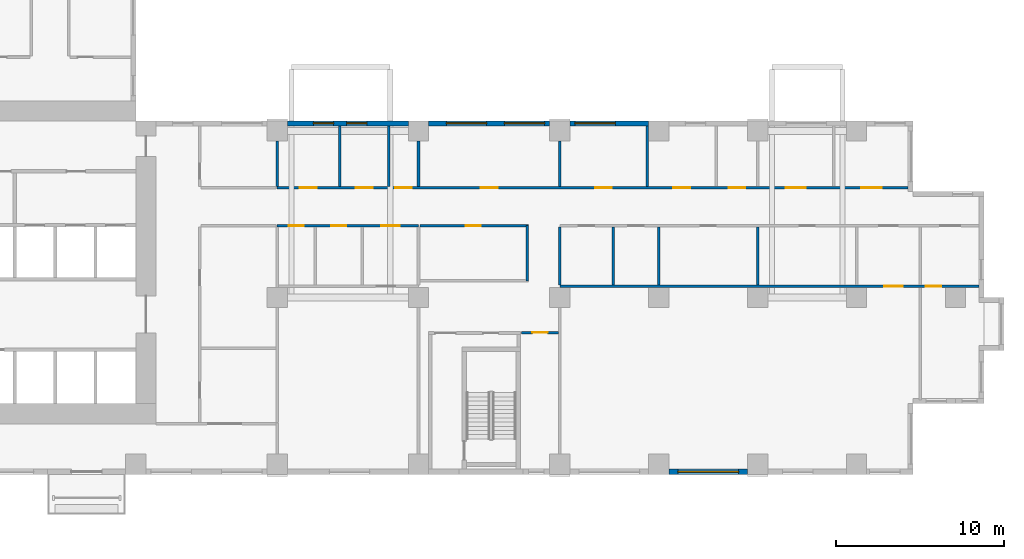
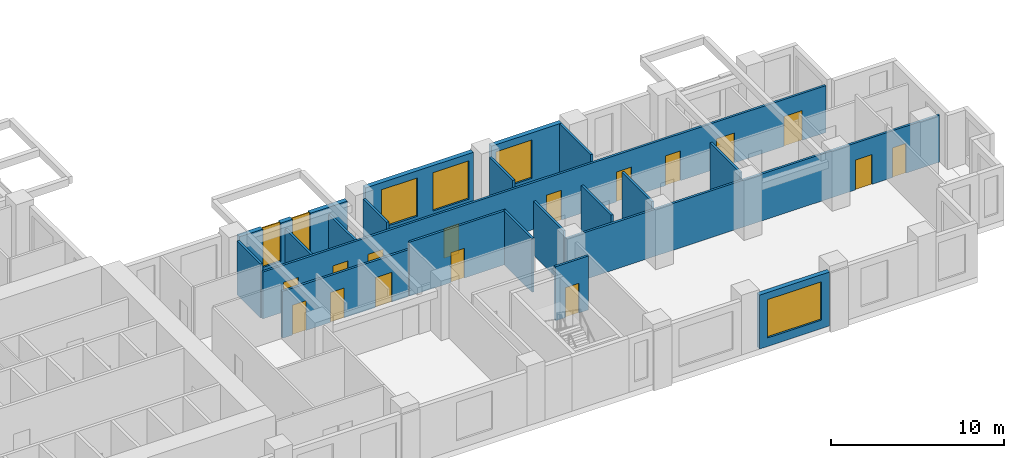
# One storey, part 5 of 14: 20 walls, 16 doors, 6 windows, 22 openings.
"""IFC4 building model written with IfcOpenShell, lengths in metres."""

from ifc_helpers import new_model, si_unit, direction, frame, frame_2d, origin, place, context, subcontext, project, spatial, rectangle, extrude, source, transform, mapped, material, layer, layer_set, type_object, element, fill, save


model = new_model("IFC4")

# Units and contexts
model_context = context("Model", 3, precision=1e-05, world=origin(), true_north=direction((0.0, 1.0)))
body_context = subcontext(model_context, "Body", "Model", "MODEL_VIEW")
ifc_project = project(units=[si_unit("LENGTHUNIT", "METRE"), si_unit("AREAUNIT", "SQUARE_METRE"), si_unit("VOLUMEUNIT", "CUBIC_METRE"), si_unit("PLANEANGLEUNIT", "RADIAN"), si_unit("MASSUNIT", "GRAM", prefix="KILO")], contexts=[model_context])

# Site, building, storey
site_placement = place(None, origin())
site = spatial("IfcSite", under=ifc_project, at=site_placement, CompositionType="ELEMENT")
building_placement = place(site_placement, origin())
building = spatial("IfcBuilding", under=site, at=building_placement, Name="Aurelian Terraces", CompositionType="ELEMENT")
storey_placement = place(building_placement, frame((0.0, 0.0, 86.7)))
storey = spatial("IfcBuildingStorey", under=building, at=storey_placement, Name="L18", CompositionType="ELEMENT", Elevation=86.7)

# Wall, openings, windows
ifc_material_1 = material(Name="Terracotta rainscreen cladding", Category="masonry")
ifc_layer_1 = layer(ifc_material_1, 0.3)
ifc_layer_set_1 = layer_set([ifc_layer_1], Name="EW-300")
wall_type_1 = type_object("IfcWallType", Name="EW-300", PredefinedType="STANDARD", material=ifc_layer_set_1)
shared_shape_1 = source(origin(), body_context, "Body", "SweptSolid", [
    extrude(rectangle(XDim=7.2, YDim=0.3, at=frame_2d((3.6, 0.0))), origin(), (0.0, 0.0, 1.0), 3.8),
])
wall_1_placement = place(storey_placement, frame((45.6, 20.85, 0.0), z_axis=(0.0, 0.0, 1.0), x_axis=(-1.0, 0.0, 0.0)))
wall_1 = element("IfcWall", 1, at=wall_1_placement, inside=storey, type_object=wall_type_1, Name="External wall L18 F07.21", PredefinedType="STANDARD", context=body_context, shape_type="MappedRepresentation", body=[
    mapped(shared_shape_1, transform((0.0, 0.0, 0.0), scale=1.0)),
])
shared_shape_2 = source(origin(), body_context, "Body", "SweptSolid", [
    extrude(rectangle(XDim=2.4, YDim=2.7, at=frame_2d((1.2, 1.35))), frame((0.0, 0.16, 0.0), z_axis=(0.0, -1.0, 0.0), x_axis=(1.0, 0.0, 0.0)), (0.0, 0.0, 1.0), 0.32),
])
opening_1_placement = place(wall_1_placement, frame((0.3, 0.0, 0.6)))
opening_1 = element("IfcOpeningElement", 2, at=opening_1_placement, cuts=wall_1, Name="Opening W2427", PredefinedType="OPENING", context=body_context, shape_type="MappedRepresentation", body=[
    mapped(shared_shape_2, transform((0.0, 0.0, 0.0), scale=1.0)),
])
opening_2_placement = place(wall_1_placement, frame((3.75, 0.0, 0.6)))
opening_2 = element("IfcOpeningElement", 3, at=opening_2_placement, cuts=wall_1, Name="Opening W2427", PredefinedType="OPENING", context=body_context, shape_type="MappedRepresentation", body=[
    mapped(shared_shape_2, transform((0.0, 0.0, 0.0), scale=1.0)),
])
ifc_material_2 = material(Name="Clear glazing", Category="glass")
window_type_1 = type_object("IfcWindowType", Name="W-2400x2700", PartitioningType="SINGLE_PANEL", PredefinedType="WINDOW", material=ifc_material_2)
shared_shape_3 = source(origin(), body_context, "Body", "SweptSolid", [
    extrude(rectangle(XDim=2.4, YDim=2.7, at=frame_2d((1.2, 1.35))), frame((0.0, 0.03, 0.0), z_axis=(0.0, -1.0, 0.0), x_axis=(1.0, 0.0, 0.0)), (0.0, 0.0, 1.0), 0.06),
])
window_1_placement = place(opening_1_placement, origin())
window_1 = element("IfcWindow", 4, at=window_1_placement, inside=storey, type_object=window_type_1, Name="Window L18 L18-F07-21-0", OverallHeight=2.7, OverallWidth=2.4, PartitioningType="SINGLE_PANEL", PredefinedType="WINDOW", context=body_context, shape_type="MappedRepresentation", body=[
    mapped(shared_shape_3, transform((0.0, 0.0, 0.0), scale=1.0)),
])
fill(opening_1, window_1)
window_2_placement = place(opening_2_placement, origin())
window_2 = element("IfcWindow", 5, at=window_2_placement, inside=storey, type_object=window_type_1, Name="Window L18 L18-F07-21-G0-33", OverallHeight=2.7, OverallWidth=2.4, PartitioningType="SINGLE_PANEL", PredefinedType="WINDOW", context=body_context, shape_type="MappedRepresentation", body=[
    mapped(shared_shape_3, transform((0.0, 0.0, 0.0), scale=1.0)),
])
fill(opening_2, window_2)

# Wall, opening, window
shared_shape_4 = source(origin(), body_context, "Body", "SweptSolid", [
    extrude(rectangle(XDim=4.68, YDim=0.3, at=frame_2d((2.34, 0.0))), origin(), (0.0, 0.0, 1.0), 3.8),
])
wall_2_placement = place(storey_placement, frame((52.68, 0.15, 0.0), z_axis=(0.0, 0.0, 1.0), x_axis=(1.0, 0.0, 0.0)))
wall_2 = element("IfcWall", 6, at=wall_2_placement, inside=storey, type_object=wall_type_1, Name="External wall L18 F01.9", PredefinedType="STANDARD", context=body_context, shape_type="MappedRepresentation", body=[
    mapped(shared_shape_4, transform((0.0, 0.0, 0.0), scale=1.0)),
])
shared_shape_5 = source(origin(), body_context, "Body", "SweptSolid", [
    extrude(rectangle(XDim=3.6, YDim=2.7, at=frame_2d((1.8, 1.35))), frame((0.0, 0.16, 0.0), z_axis=(0.0, -1.0, 0.0), x_axis=(1.0, 0.0, 0.0)), (0.0, 0.0, 1.0), 0.32),
])
opening_3_placement = place(wall_2_placement, frame((0.54, 0.0, 0.6)))
opening_3 = element("IfcOpeningElement", 7, at=opening_3_placement, cuts=wall_2, Name="Opening W3627", PredefinedType="OPENING", context=body_context, shape_type="MappedRepresentation", body=[
    mapped(shared_shape_5, transform((0.0, 0.0, 0.0), scale=1.0)),
])
window_type_2 = type_object("IfcWindowType", Name="W-3600x2700", PartitioningType="SINGLE_PANEL", PredefinedType="WINDOW", material=ifc_material_2)
shared_shape_6 = source(origin(), body_context, "Body", "SweptSolid", [
    extrude(rectangle(XDim=3.6, YDim=2.7, at=frame_2d((1.8, 1.35))), frame((0.0, 0.03, 0.0), z_axis=(0.0, -1.0, 0.0), x_axis=(1.0, 0.0, 0.0)), (0.0, 0.0, 1.0), 0.06),
])
window_3_placement = place(opening_3_placement, origin())
window_3 = element("IfcWindow", 8, at=window_3_placement, inside=storey, type_object=window_type_2, Name="Window L18 L18-F01-09-0", OverallHeight=2.7, OverallWidth=3.6, PartitioningType="SINGLE_PANEL", PredefinedType="WINDOW", context=body_context, shape_type="MappedRepresentation", body=[
    mapped(shared_shape_6, transform((0.0, 0.0, 0.0), scale=1.0)),
])
fill(opening_3, window_3)

wall_3_placement = place(storey_placement, frame((51.48, 20.85, 0.0), z_axis=(0.0, 0.0, 1.0), x_axis=(-1.0, 0.0, 0.0)))
wall_3 = element("IfcWall", 9, at=wall_3_placement, inside=storey, type_object=wall_type_1, Name="External wall L18 F07.20", PredefinedType="STANDARD", context=body_context, shape_type="MappedRepresentation", body=[
    mapped(shared_shape_4, transform((0.0, 0.0, 0.0), scale=1.0)),
])
opening_4_placement = place(wall_3_placement, frame((1.98, 0.0, 0.6)))
opening_4 = element("IfcOpeningElement", 10, at=opening_4_placement, cuts=wall_3, Name="Opening W2427", PredefinedType="OPENING", context=body_context, shape_type="MappedRepresentation", body=[
    mapped(shared_shape_2, transform((0.0, 0.0, 0.0), scale=1.0)),
])
window_4_placement = place(opening_4_placement, origin())
window_4 = element("IfcWindow", 11, at=window_4_placement, inside=storey, type_object=window_type_1, Name="Window L18 L18-F07-20-4", OverallHeight=2.7, OverallWidth=2.4, PartitioningType="SINGLE_PANEL", PredefinedType="WINDOW", context=body_context, shape_type="MappedRepresentation", body=[
    mapped(shared_shape_3, transform((0.0, 0.0, 0.0), scale=1.0)),
])
fill(opening_4, window_4)

# Wall, openings, windows
shared_shape_7 = source(origin(), body_context, "Body", "SweptSolid", [
    extrude(rectangle(XDim=7.2, YDim=0.3, at=frame_2d((3.6, 0.0))), origin(), (0.0, 0.0, 1.0), 3.3),
])
wall_4_placement = place(storey_placement, frame((37.2, 20.85, 0.0), z_axis=(0.0, 0.0, 1.0), x_axis=(-1.0, 0.0, 0.0)))
wall_4 = element("IfcWall", 12, at=wall_4_placement, inside=storey, type_object=wall_type_1, Name="External wall L18 F07.21", PredefinedType="STANDARD", context=body_context, shape_type="MappedRepresentation", body=[
    mapped(shared_shape_7, transform((0.0, 0.0, 0.0), scale=1.0)),
])
shared_shape_8 = source(origin(), body_context, "Body", "SweptSolid", [
    extrude(rectangle(XDim=1.2, YDim=2.7, at=frame_2d((0.6, 1.35))), frame((0.0, 0.16, 0.0), z_axis=(0.0, -1.0, 0.0), x_axis=(1.0, 0.0, 0.0)), (0.0, 0.0, 1.0), 0.32),
])
opening_5_placement = place(wall_4_placement, frame((2.466, 0.0, 0.6)))
opening_5 = element("IfcOpeningElement", 13, at=opening_5_placement, cuts=wall_4, Name="Opening W1227", PredefinedType="OPENING", context=body_context, shape_type="MappedRepresentation", body=[
    mapped(shared_shape_8, transform((0.0, 0.0, 0.0), scale=1.0)),
])
opening_6_placement = place(wall_4_placement, frame((4.441, 0.0, 0.6)))
opening_6 = element("IfcOpeningElement", 14, at=opening_6_placement, cuts=wall_4, Name="Opening W1227", PredefinedType="OPENING", context=body_context, shape_type="MappedRepresentation", body=[
    mapped(shared_shape_8, transform((0.0, 0.0, 0.0), scale=1.0)),
])
window_type_3 = type_object("IfcWindowType", Name="W-1200x2700", PartitioningType="SINGLE_PANEL", PredefinedType="WINDOW", material=ifc_material_2)
shared_shape_9 = source(origin(), body_context, "Body", "SweptSolid", [
    extrude(rectangle(XDim=1.2, YDim=2.7, at=frame_2d((0.6, 1.35))), frame((0.0, 0.03, 0.0), z_axis=(0.0, -1.0, 0.0), x_axis=(1.0, 0.0, 0.0)), (0.0, 0.0, 1.0), 0.06),
])
window_5_placement = place(opening_5_placement, origin())
window_5 = element("IfcWindow", 15, at=window_5_placement, inside=storey, type_object=window_type_3, Name="Window L18 L18-F07-21-2.1", OverallHeight=2.7, OverallWidth=1.2, PartitioningType="SINGLE_PANEL", PredefinedType="WINDOW", context=body_context, shape_type="MappedRepresentation", body=[
    mapped(shared_shape_9, transform((0.0, 0.0, 0.0), scale=1.0)),
])
fill(opening_5, window_5)
window_6_placement = place(opening_6_placement, origin())
window_6 = element("IfcWindow", 16, at=window_6_placement, inside=storey, type_object=window_type_3, Name="Window L18 L18-F07-21-2.2", OverallHeight=2.7, OverallWidth=1.2, PartitioningType="SINGLE_PANEL", PredefinedType="WINDOW", context=body_context, shape_type="MappedRepresentation", body=[
    mapped(shared_shape_9, transform((0.0, 0.0, 0.0), scale=1.0)),
])
fill(opening_6, window_6)

# Wall, opening, door
ifc_material_3 = material(Name="Gypsum board on steel studs", Category="steel")
ifc_layer_2 = layer(ifc_material_3, 0.15)
ifc_layer_set_2 = layer_set([ifc_layer_2], Name="Fire partition 150")
wall_type_2 = type_object("IfcWallType", Name="Fire partition 150", PredefinedType="PARTITIONING", material=ifc_layer_set_2)
shared_shape_10 = source(origin(), body_context, "Body", "SweptSolid", [
    extrude(rectangle(XDim=6.45, YDim=0.15, at=frame_2d((3.225, 0.0))), origin(), (0.0, 0.0, 1.0), 3.8),
])
wall_5_placement = place(storey_placement, frame((44.325, 14.775, 0.0), z_axis=(0.0, 0.0, 1.0), x_axis=(-1.0, 0.0, 0.0)))
wall_5 = element("IfcWall", 17, at=wall_5_placement, inside=storey, type_object=wall_type_2, Name="Corridor wall", PredefinedType="PARTITIONING", context=body_context, shape_type="MappedRepresentation", body=[
    mapped(shared_shape_10, transform((0.0, 0.0, 0.0), scale=1.0)),
])
shared_shape_11 = source(origin(), body_context, "Body", "SweptSolid", [
    extrude(rectangle(XDim=0.9, YDim=2.1, at=frame_2d((0.45, 1.05))), frame((0.0, 0.085, 0.0), z_axis=(0.0, -1.0, 0.0), x_axis=(1.0, 0.0, 0.0)), (0.0, 0.0, 1.0), 0.17),
])
opening_7_placement = place(wall_5_placement, frame((2.8125, 0.0, 0.0)))
opening_7 = element("IfcOpeningElement", 18, at=opening_7_placement, cuts=wall_5, Name="Opening 718005", PredefinedType="OPENING", context=body_context, shape_type="MappedRepresentation", body=[
    mapped(shared_shape_11, transform((0.0, 0.0, 0.0), scale=1.0)),
])
ifc_material_4 = material(Name="Timber door leaf", Category="wood")
door_type_1 = type_object("IfcDoorType", Name="Room door 900x2100 right", OperationType="SINGLE_SWING_RIGHT", PredefinedType="DOOR", material=ifc_material_4)
shared_shape_12 = source(origin(), body_context, "Body", "SweptSolid", [
    extrude(rectangle(XDim=0.9, YDim=2.1, at=frame_2d((0.45, 1.05))), frame((0.0, 0.025, 0.0), z_axis=(0.0, -1.0, 0.0), x_axis=(1.0, 0.0, 0.0)), (0.0, 0.0, 1.0), 0.05),
])
door_1_placement = place(opening_7_placement, origin())
door_1 = element("IfcDoor", 19, at=door_1_placement, inside=storey, type_object=door_type_1, Name="Door 718005", OperationType="SINGLE_SWING_RIGHT", OverallHeight=2.1, OverallWidth=0.9, PredefinedType="DOOR", context=body_context, shape_type="MappedRepresentation", body=[
    mapped(shared_shape_12, transform((0.0, 0.0, 0.0), scale=1.0)),
])
fill(opening_7, door_1)

# Walls
ifc_layer_3 = layer(ifc_material_3, 0.15)
ifc_layer_set_3 = layer_set([ifc_layer_3], Name="Partition 150")
wall_type_3 = type_object("IfcWallType", Name="Partition 150", PredefinedType="PARTITIONING", material=ifc_layer_set_3)
shared_shape_13 = source(origin(), body_context, "Body", "SweptSolid", [
    extrude(rectangle(XDim=3.6, YDim=0.15, at=frame_2d((1.8, 0.0))), origin(), (0.0, 0.0, 1.0), 3.8),
])
wall_6_placement = place(storey_placement, frame((51.3951, 20.7, 0.0), z_axis=(0.0, 0.0, 1.0), x_axis=(0.0, -1.0, 0.0)))
element("IfcWall", 20, at=wall_6_placement, inside=storey, type_object=wall_type_3, Name="Partition", PredefinedType="PARTITIONING", context=body_context, shape_type="MappedRepresentation", body=[
    mapped(shared_shape_13, transform((0.0, 0.0, 0.0), scale=1.0)),
])
shared_shape_14 = source(origin(), body_context, "Body", "SweptSolid", [
    extrude(rectangle(XDim=2.701, YDim=0.15, at=frame_2d((1.3505, 0.0))), origin(), (0.0, 0.0, 1.0), 3.8),
])
for number, where, z_axis, x_axis, name in (
    (21, (29.4, 17.1, 0.0), (0.0, 0.0, 1.0), (0.0, 1.0, 0.0), "Partition"),
    (22, (37.8, 17.1, 0.0), (0.0, 0.0, 1.0), (0.0, 1.0, 0.0), "Partition"),
    (23, (46.2, 17.1, 0.0), (0.0, 0.0, 1.0), (0.0, 1.0, 0.0), "Partition"),
):
    element("IfcWall", number, at=place(storey_placement, frame(where, z_axis=z_axis, x_axis=x_axis)), inside=storey, type_object=wall_type_3, Name=name, PredefinedType="PARTITIONING", context=body_context, shape_type="MappedRepresentation", body=[
        mapped(shared_shape_14, transform((0.0, 0.0, 0.0), scale=1.0)),
    ])

# Wall, opening, door
shared_shape_15 = source(origin(), body_context, "Body", "SweptSolid", [
    extrude(rectangle(XDim=2.2, YDim=0.15, at=frame_2d((1.1, 0.0))), origin(), (0.0, 0.0, 1.0), 3.8),
])
wall_7_placement = place(storey_placement, frame((46.125, 8.425, 0.0), z_axis=(0.0, 0.0, 1.0), x_axis=(-1.0, 0.0, 0.0)))
wall_7 = element("IfcWall", 24, at=wall_7_placement, inside=storey, type_object=wall_type_3, Name="Partition", PredefinedType="PARTITIONING", context=body_context, shape_type="MappedRepresentation", body=[
    mapped(shared_shape_15, transform((0.0, 0.0, 0.0), scale=1.0)),
])
opening_8_placement = place(wall_7_placement, frame((0.65, 0.0, 0.0)))
opening_8 = element("IfcOpeningElement", 25, at=opening_8_placement, cuts=wall_7, Name="Opening 718006", PredefinedType="OPENING", context=body_context, shape_type="MappedRepresentation", body=[
    mapped(shared_shape_11, transform((0.0, 0.0, 0.0), scale=1.0)),
])
door_2_placement = place(opening_8_placement, origin())
door_2 = element("IfcDoor", 26, at=door_2_placement, inside=storey, type_object=door_type_1, Name="Door 718006", OperationType="SINGLE_SWING_RIGHT", OverallHeight=2.1, OverallWidth=0.9, PredefinedType="DOOR", context=body_context, shape_type="MappedRepresentation", body=[
    mapped(shared_shape_12, transform((0.0, 0.0, 0.0), scale=1.0)),
])
fill(opening_8, door_2)

# Wall, openings, doors
shared_shape_16 = source(origin(), body_context, "Body", "SweptSolid", [
    extrude(rectangle(XDim=24.9, YDim=0.15, at=frame_2d((12.45, 0.0))), origin(), (0.0, 0.0, 1.0), 3.3),
])
wall_8_placement = place(storey_placement, frame((71.1, 11.175, 0.0), z_axis=(0.0, 0.0, 1.0), x_axis=(-1.0, 0.0, 0.0)))
wall_8 = element("IfcWall", 27, at=wall_8_placement, inside=storey, type_object=wall_type_3, Name="Partition", PredefinedType="PARTITIONING", context=body_context, shape_type="MappedRepresentation", body=[
    mapped(shared_shape_16, transform((0.0, 0.0, 0.0), scale=1.0)),
])
shared_shape_17 = source(origin(), body_context, "Body", "SweptSolid", [
    extrude(rectangle(XDim=1.1, YDim=2.1, at=frame_2d((0.55, 1.05))), frame((0.0, 0.085, 0.0), z_axis=(0.0, -1.0, 0.0), x_axis=(1.0, 0.0, 0.0)), (0.0, 0.0, 1.0), 0.17),
])
opening_9_placement = place(wall_8_placement, frame((4.5075, 0.0, 0.0)))
opening_9 = element("IfcOpeningElement", 28, at=opening_9_placement, cuts=wall_8, Name="Opening 718012", PredefinedType="OPENING", context=body_context, shape_type="MappedRepresentation", body=[
    mapped(shared_shape_17, transform((0.0, 0.0, 0.0), scale=1.0)),
])
opening_10_placement = place(wall_8_placement, frame((2.2425, 0.0, 0.0)))
opening_10 = element("IfcOpeningElement", 29, at=opening_10_placement, cuts=wall_8, Name="Opening 718018", PredefinedType="OPENING", context=body_context, shape_type="MappedRepresentation", body=[
    mapped(shared_shape_11, transform((0.0, 0.0, 0.0), scale=1.0)),
])
door_3_placement = place(opening_10_placement, origin())
door_3 = element("IfcDoor", 30, at=door_3_placement, inside=storey, type_object=door_type_1, Name="Door 718018", OperationType="SINGLE_SWING_RIGHT", OverallHeight=2.1, OverallWidth=0.9, PredefinedType="DOOR", context=body_context, shape_type="MappedRepresentation", body=[
    mapped(shared_shape_12, transform((0.0, 0.0, 0.0), scale=1.0)),
])
fill(opening_10, door_3)
door_type_2 = type_object("IfcDoorType", Name="Room door 1100x2100 right", OperationType="SINGLE_SWING_RIGHT", PredefinedType="DOOR", material=ifc_material_4)
shared_shape_18 = source(origin(), body_context, "Body", "SweptSolid", [
    extrude(rectangle(XDim=1.1, YDim=2.1, at=frame_2d((0.55, 1.05))), frame((0.0, 0.025, 0.0), z_axis=(0.0, -1.0, 0.0), x_axis=(1.0, 0.0, 0.0)), (0.0, 0.0, 1.0), 0.05),
])
door_4_placement = place(opening_9_placement, origin())
door_4 = element("IfcDoor", 31, at=door_4_placement, inside=storey, type_object=door_type_2, Name="Door 718012", OperationType="SINGLE_SWING_RIGHT", OverallHeight=2.1, OverallWidth=1.1, PredefinedType="DOOR", context=body_context, shape_type="MappedRepresentation", body=[
    mapped(shared_shape_18, transform((0.0, 0.0, 0.0), scale=1.0)),
])
fill(opening_9, door_4)

# Walls
shared_shape_19 = source(origin(), body_context, "Body", "SweptSolid", [
    extrude(rectangle(XDim=3.6, YDim=0.15, at=frame_2d((1.8, 0.0))), origin(), (0.0, 0.0, 1.0), 2.8),
])
for number, where, z_axis, x_axis, name in (
    (32, (33.1133, 20.7, 0.0), (0.0, 0.0, 1.0), (0.0, -1.0, 0.0), "Partition"),
    (33, (36.024, 20.7, 0.0), (0.0, 0.0, 1.0), (0.0, -1.0, 0.0), "Partition"),
):
    element("IfcWall", number, at=place(storey_placement, frame(where, z_axis=z_axis, x_axis=x_axis)), inside=storey, type_object=wall_type_3, Name=name, PredefinedType="PARTITIONING", context=body_context, shape_type="MappedRepresentation", body=[
        mapped(shared_shape_19, transform((0.0, 0.0, 0.0), scale=1.0)),
    ])

# Wall, openings, doors
shared_shape_20 = source(origin(), body_context, "Body", "SweptSolid", [
    extrude(rectangle(XDim=8.4, YDim=0.15, at=frame_2d((4.2, 0.0))), origin(), (0.0, 0.0, 1.0), 3.3),
])
wall_9_placement = place(storey_placement, frame((37.8, 14.775, 0.0), z_axis=(0.0, 0.0, 1.0), x_axis=(-1.0, 0.0, 0.0)))
wall_9 = element("IfcWall", 34, at=wall_9_placement, inside=storey, type_object=wall_type_2, Name="Corridor wall", PredefinedType="PARTITIONING", context=body_context, shape_type="MappedRepresentation", body=[
    mapped(shared_shape_20, transform((0.0, 0.0, 0.0), scale=1.0)),
])
opening_11_placement = place(wall_9_placement, frame((1.1146, 0.0, 0.0)))
opening_11 = element("IfcOpeningElement", 35, at=opening_11_placement, cuts=wall_9, Name="Opening 718007", PredefinedType="OPENING", context=body_context, shape_type="MappedRepresentation", body=[
    mapped(shared_shape_17, transform((0.0, 0.0, 0.0), scale=1.0)),
])
opening_12_placement = place(wall_9_placement, frame((6.8178, 0.0, 0.0)))
opening_12 = element("IfcOpeningElement", 36, at=opening_12_placement, cuts=wall_9, Name="Opening 718009", PredefinedType="OPENING", context=body_context, shape_type="MappedRepresentation", body=[
    mapped(shared_shape_11, transform((0.0, 0.0, 0.0), scale=1.0)),
])
opening_13_placement = place(wall_9_placement, frame((4.2824, 0.0, 0.0)))
opening_13 = element("IfcOpeningElement", 37, at=opening_13_placement, cuts=wall_9, Name="Opening 718010", PredefinedType="OPENING", context=body_context, shape_type="MappedRepresentation", body=[
    mapped(shared_shape_11, transform((0.0, 0.0, 0.0), scale=1.0)),
])
door_type_3 = type_object("IfcDoorType", Name="Room door 900x2100 left", OperationType="SINGLE_SWING_LEFT", PredefinedType="DOOR", material=ifc_material_4)
door_5_placement = place(opening_12_placement, origin())
door_5 = element("IfcDoor", 38, at=door_5_placement, inside=storey, type_object=door_type_3, Name="Door 718009", OperationType="SINGLE_SWING_LEFT", OverallHeight=2.1, OverallWidth=0.9, PredefinedType="DOOR", context=body_context, shape_type="MappedRepresentation", body=[
    mapped(shared_shape_12, transform((0.0, 0.0, 0.0), scale=1.0)),
])
fill(opening_12, door_5)
door_6_placement = place(opening_13_placement, origin())
door_6 = element("IfcDoor", 39, at=door_6_placement, inside=storey, type_object=door_type_1, Name="Door 718010", OperationType="SINGLE_SWING_RIGHT", OverallHeight=2.1, OverallWidth=0.9, PredefinedType="DOOR", context=body_context, shape_type="MappedRepresentation", body=[
    mapped(shared_shape_12, transform((0.0, 0.0, 0.0), scale=1.0)),
])
fill(opening_13, door_6)
door_type_4 = type_object("IfcDoorType", Name="Room door 1100x2100 left", OperationType="SINGLE_SWING_LEFT", PredefinedType="DOOR", material=ifc_material_4)
door_7_placement = place(opening_11_placement, origin())
door_7 = element("IfcDoor", 40, at=door_7_placement, inside=storey, type_object=door_type_4, Name="Door 718007", OperationType="SINGLE_SWING_LEFT", OverallHeight=2.1, OverallWidth=1.1, PredefinedType="DOOR", context=body_context, shape_type="MappedRepresentation", body=[
    mapped(shared_shape_18, transform((0.0, 0.0, 0.0), scale=1.0)),
])
fill(opening_11, door_7)

shared_shape_21 = source(origin(), body_context, "Body", "SweptSolid", [
    extrude(rectangle(XDim=37.5, YDim=0.15, at=frame_2d((18.75, 0.0))), origin(), (0.0, 0.0, 1.0), 3.3),
])
wall_10_placement = place(storey_placement, frame((29.4, 17.025, 0.0), z_axis=(0.0, 0.0, 1.0), x_axis=(1.0, 0.0, 0.0)))
wall_10 = element("IfcWall", 41, at=wall_10_placement, inside=storey, type_object=wall_type_2, Name="Corridor wall", PredefinedType="PARTITIONING", context=body_context, shape_type="MappedRepresentation", body=[
    mapped(shared_shape_21, transform((0.0, 0.0, 0.0), scale=1.0)),
])
shared_shape_22 = source(origin(), body_context, "Body", "SweptSolid", [
    extrude(rectangle(XDim=1.0, YDim=2.1, at=frame_2d((0.5, 1.05))), frame((0.0, 0.085, 0.0), z_axis=(0.0, -1.0, 0.0), x_axis=(1.0, 0.0, 0.0)), (0.0, 0.0, 1.0), 0.17),
])
opening_14_placement = place(wall_10_placement, frame((1.3567, 0.0, 0.0)))
opening_14 = element("IfcOpeningElement", 42, at=opening_14_placement, cuts=wall_10, Name="Opening 718019", PredefinedType="OPENING", context=body_context, shape_type="MappedRepresentation", body=[
    mapped(shared_shape_22, transform((0.0, 0.0, 0.0), scale=1.0)),
])
opening_15_placement = place(wall_10_placement, frame((4.6686, 0.0, 0.0)))
opening_15 = element("IfcOpeningElement", 43, at=opening_15_placement, cuts=wall_10, Name="Opening 718020", PredefinedType="OPENING", context=body_context, shape_type="MappedRepresentation", body=[
    mapped(shared_shape_22, transform((0.0, 0.0, 0.0), scale=1.0)),
])
opening_16_placement = place(wall_10_placement, frame((7.012, 0.0, 0.0)))
opening_16 = element("IfcOpeningElement", 44, at=opening_16_placement, cuts=wall_10, Name="Opening 718021", PredefinedType="OPENING", context=body_context, shape_type="MappedRepresentation", body=[
    mapped(shared_shape_22, transform((0.0, 0.0, 0.0), scale=1.0)),
])
opening_17_placement = place(wall_10_placement, frame((12.1, 0.0, 0.0)))
opening_17 = element("IfcOpeningElement", 45, at=opening_17_placement, cuts=wall_10, Name="Opening 718022", PredefinedType="OPENING", context=body_context, shape_type="MappedRepresentation", body=[
    mapped(shared_shape_22, transform((0.0, 0.0, 0.0), scale=1.0)),
])
opening_18_placement = place(wall_10_placement, frame((18.8976, 0.0, 0.0)))
opening_18 = element("IfcOpeningElement", 46, at=opening_18_placement, cuts=wall_10, Name="Opening 718023", PredefinedType="OPENING", context=body_context, shape_type="MappedRepresentation", body=[
    mapped(shared_shape_22, transform((0.0, 0.0, 0.0), scale=1.0)),
])
opening_19_placement = place(wall_10_placement, frame((23.5431, 0.0, 0.0)))
opening_19 = element("IfcOpeningElement", 47, at=opening_19_placement, cuts=wall_10, Name="Opening 718024", PredefinedType="OPENING", context=body_context, shape_type="MappedRepresentation", body=[
    mapped(shared_shape_22, transform((0.0, 0.0, 0.0), scale=1.0)),
])
opening_20_placement = place(wall_10_placement, frame((26.8256, 0.0, 0.0)))
opening_20 = element("IfcOpeningElement", 48, at=opening_20_placement, cuts=wall_10, Name="Opening 718025", PredefinedType="OPENING", context=body_context, shape_type="MappedRepresentation", body=[
    mapped(shared_shape_22, transform((0.0, 0.0, 0.0), scale=1.0)),
])
shared_shape_23 = source(origin(), body_context, "Body", "SweptSolid", [
    extrude(rectangle(XDim=1.2, YDim=2.1, at=frame_2d((0.6, 1.05))), frame((0.0, 0.085, 0.0), z_axis=(0.0, -1.0, 0.0), x_axis=(1.0, 0.0, 0.0)), (0.0, 0.0, 1.0), 0.17),
])
opening_21_placement = place(wall_10_placement, frame((30.2138, 0.0, 0.0)))
opening_21 = element("IfcOpeningElement", 49, at=opening_21_placement, cuts=wall_10, Name="Opening 718026", PredefinedType="OPENING", context=body_context, shape_type="MappedRepresentation", body=[
    mapped(shared_shape_23, transform((0.0, 0.0, 0.0), scale=1.0)),
])
opening_22_placement = place(wall_10_placement, frame((34.7212, 0.0, 0.0)))
opening_22 = element("IfcOpeningElement", 50, at=opening_22_placement, cuts=wall_10, Name="Opening 718027", PredefinedType="OPENING", context=body_context, shape_type="MappedRepresentation", body=[
    mapped(shared_shape_23, transform((0.0, 0.0, 0.0), scale=1.0)),
])
door_type_5 = type_object("IfcDoorType", Name="Room door 1000x2100 left", OperationType="SINGLE_SWING_LEFT", PredefinedType="DOOR", material=ifc_material_4)
shared_shape_24 = source(origin(), body_context, "Body", "SweptSolid", [
    extrude(rectangle(XDim=1.0, YDim=2.1, at=frame_2d((0.5, 1.05))), frame((0.0, 0.025, 0.0), z_axis=(0.0, -1.0, 0.0), x_axis=(1.0, 0.0, 0.0)), (0.0, 0.0, 1.0), 0.05),
])
door_8_placement = place(opening_14_placement, origin())
door_8 = element("IfcDoor", 51, at=door_8_placement, inside=storey, type_object=door_type_5, Name="Door 718019", OperationType="SINGLE_SWING_LEFT", OverallHeight=2.1, OverallWidth=1.0, PredefinedType="DOOR", context=body_context, shape_type="MappedRepresentation", body=[
    mapped(shared_shape_24, transform((0.0, 0.0, 0.0), scale=1.0)),
])
fill(opening_14, door_8)
door_type_6 = type_object("IfcDoorType", Name="Room door 1000x2100 right", OperationType="SINGLE_SWING_RIGHT", PredefinedType="DOOR", material=ifc_material_4)
door_9_placement = place(opening_15_placement, origin())
door_9 = element("IfcDoor", 52, at=door_9_placement, inside=storey, type_object=door_type_6, Name="Door 718020", OperationType="SINGLE_SWING_RIGHT", OverallHeight=2.1, OverallWidth=1.0, PredefinedType="DOOR", context=body_context, shape_type="MappedRepresentation", body=[
    mapped(shared_shape_24, transform((0.0, 0.0, 0.0), scale=1.0)),
])
fill(opening_15, door_9)
door_10_placement = place(opening_16_placement, origin())
door_10 = element("IfcDoor", 53, at=door_10_placement, inside=storey, type_object=door_type_5, Name="Door 718021", OperationType="SINGLE_SWING_LEFT", OverallHeight=2.1, OverallWidth=1.0, PredefinedType="DOOR", context=body_context, shape_type="MappedRepresentation", body=[
    mapped(shared_shape_24, transform((0.0, 0.0, 0.0), scale=1.0)),
])
fill(opening_16, door_10)
door_11_placement = place(opening_17_placement, origin())
door_11 = element("IfcDoor", 54, at=door_11_placement, inside=storey, type_object=door_type_5, Name="Door 718022", OperationType="SINGLE_SWING_LEFT", OverallHeight=2.1, OverallWidth=1.0, PredefinedType="DOOR", context=body_context, shape_type="MappedRepresentation", body=[
    mapped(shared_shape_24, transform((0.0, 0.0, 0.0), scale=1.0)),
])
fill(opening_17, door_11)
door_12_placement = place(opening_18_placement, origin())
door_12 = element("IfcDoor", 55, at=door_12_placement, inside=storey, type_object=door_type_5, Name="Door 718023", OperationType="SINGLE_SWING_LEFT", OverallHeight=2.1, OverallWidth=1.0, PredefinedType="DOOR", context=body_context, shape_type="MappedRepresentation", body=[
    mapped(shared_shape_24, transform((0.0, 0.0, 0.0), scale=1.0)),
])
fill(opening_18, door_12)
door_13_placement = place(opening_19_placement, origin())
door_13 = element("IfcDoor", 56, at=door_13_placement, inside=storey, type_object=door_type_6, Name="Door 718024", OperationType="SINGLE_SWING_RIGHT", OverallHeight=2.1, OverallWidth=1.0, PredefinedType="DOOR", context=body_context, shape_type="MappedRepresentation", body=[
    mapped(shared_shape_24, transform((0.0, 0.0, 0.0), scale=1.0)),
])
fill(opening_19, door_13)
door_14_placement = place(opening_20_placement, origin())
door_14 = element("IfcDoor", 57, at=door_14_placement, inside=storey, type_object=door_type_5, Name="Door 718025", OperationType="SINGLE_SWING_LEFT", OverallHeight=2.1, OverallWidth=1.0, PredefinedType="DOOR", context=body_context, shape_type="MappedRepresentation", body=[
    mapped(shared_shape_24, transform((0.0, 0.0, 0.0), scale=1.0)),
])
fill(opening_20, door_14)
door_type_7 = type_object("IfcDoorType", Name="Room door 1200x2100 left", OperationType="SINGLE_SWING_LEFT", PredefinedType="DOOR", material=ifc_material_4)
shared_shape_25 = source(origin(), body_context, "Body", "SweptSolid", [
    extrude(rectangle(XDim=1.2, YDim=2.1, at=frame_2d((0.6, 1.05))), frame((0.0, 0.025, 0.0), z_axis=(0.0, -1.0, 0.0), x_axis=(1.0, 0.0, 0.0)), (0.0, 0.0, 1.0), 0.05),
])
door_15_placement = place(opening_21_placement, origin())
door_15 = element("IfcDoor", 58, at=door_15_placement, inside=storey, type_object=door_type_7, Name="Door 718026", OperationType="SINGLE_SWING_LEFT", OverallHeight=2.1, OverallWidth=1.2, PredefinedType="DOOR", context=body_context, shape_type="MappedRepresentation", body=[
    mapped(shared_shape_25, transform((0.0, 0.0, 0.0), scale=1.0)),
])
fill(opening_21, door_15)
door_type_8 = type_object("IfcDoorType", Name="Room door 1200x2100 right", OperationType="SINGLE_SWING_RIGHT", PredefinedType="DOOR", material=ifc_material_4)
door_16_placement = place(opening_22_placement, origin())
door_16 = element("IfcDoor", 59, at=door_16_placement, inside=storey, type_object=door_type_8, Name="Door 718027", OperationType="SINGLE_SWING_RIGHT", OverallHeight=2.1, OverallWidth=1.2, PredefinedType="DOOR", context=body_context, shape_type="MappedRepresentation", body=[
    mapped(shared_shape_25, transform((0.0, 0.0, 0.0), scale=1.0)),
])
fill(opening_22, door_16)

# Walls
shared_shape_26 = source(origin(), body_context, "Body", "SweptSolid", [
    extrude(rectangle(XDim=3.45, YDim=0.15, at=frame_2d((1.725, 0.0))), origin(), (0.0, 0.0, 1.0), 3.8),
])
for number, where, z_axis, x_axis, name in (
    (60, (49.369, 11.25, 0.0), (0.0, 0.0, 1.0), (0.0, 1.0, 0.0), "Partition"),
    (61, (52.08, 11.25, 0.0), (0.0, 0.0, 1.0), (0.0, 1.0, 0.0), "Partition"),
    (62, (57.96, 11.25, 0.0), (0.0, 0.0, 1.0), (0.0, 1.0, 0.0), "Partition"),
    (63, (46.2, 11.25, 0.0), (0.0, 0.0, 1.0), (0.0, 1.0, 0.0), "Partition"),
):
    element("IfcWall", number, at=place(storey_placement, frame(where, z_axis=z_axis, x_axis=x_axis)), inside=storey, type_object=wall_type_3, Name=name, PredefinedType="PARTITIONING", context=body_context, shape_type="MappedRepresentation", body=[
        mapped(shared_shape_26, transform((0.0, 0.0, 0.0), scale=1.0)),
    ])
shared_shape_27 = source(origin(), body_context, "Body", "SweptSolid", [
    extrude(rectangle(XDim=3.275, YDim=0.15, at=frame_2d((1.6375, 0.0))), origin(), (0.0, 0.0, 1.0), 3.8),
])
wall_11_placement = place(storey_placement, frame((44.25, 11.5, 0.0), z_axis=(0.0, 0.0, 1.0), x_axis=(0.0, 1.0, 0.0)))
element("IfcWall", 64, at=wall_11_placement, inside=storey, type_object=wall_type_3, Name="Partition", PredefinedType="PARTITIONING", context=body_context, shape_type="MappedRepresentation", body=[
    mapped(shared_shape_27, transform((0.0, 0.0, 0.0), scale=1.0)),
])

save(model, "model.ifc")
